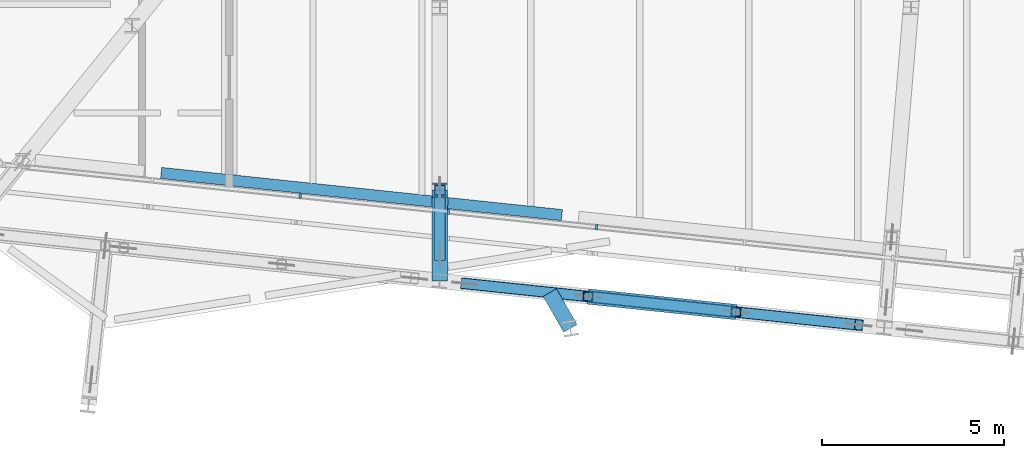
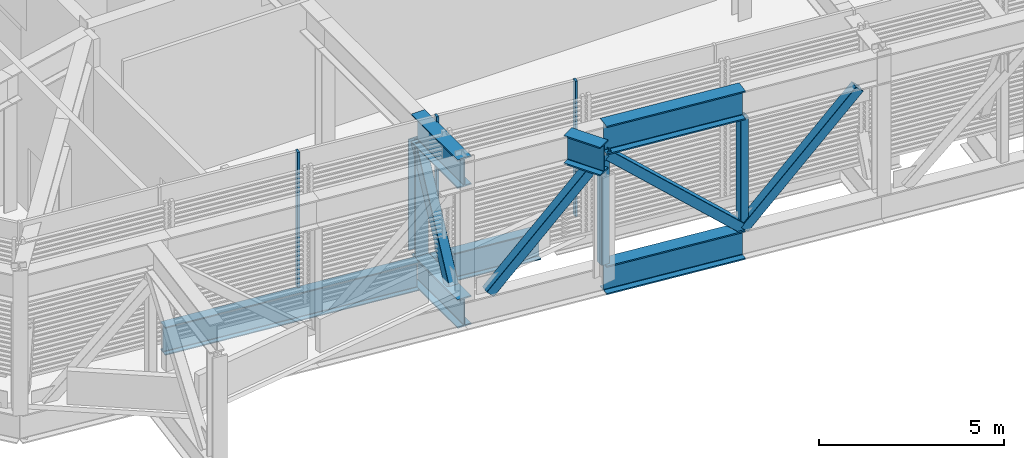
# One storey, part 4 of 36: 10 members, 7 beams, 1 element without a shape of its own.
"""IFC4 building model written with IfcOpenShell, lengths in metres."""

from ifc_helpers import new_model, si_unit, direction, frame, origin, origin_2d, place, context, subcontext, project, spatial, rectangle, hollow_rectangle, i_section, extrude, material, layer, layer_set, material_profile, profile_set, type_object, element, aggregate, save


model = new_model("IFC4")

# Units and contexts
model_context = context("Model", 3, precision=1e-05, world=origin(), true_north=direction((0.0, 1.0)))
body_context = subcontext(model_context, "Body", "Model", "MODEL_VIEW")
ifc_project = project(units=[si_unit("LENGTHUNIT", "METRE"), si_unit("AREAUNIT", "SQUARE_METRE"), si_unit("VOLUMEUNIT", "CUBIC_METRE"), si_unit("PLANEANGLEUNIT", "RADIAN"), si_unit("MASSUNIT", "GRAM", prefix="KILO")], contexts=[model_context])

# Site, building, storey
site_placement = place(None, origin())
site = spatial("IfcSite", under=ifc_project, at=site_placement, CompositionType="ELEMENT")
building_placement = place(site_placement, origin())
building = spatial("IfcBuilding", under=site, at=building_placement, Name="Millrace Tower", CompositionType="ELEMENT")
storey_placement = place(building_placement, frame((0.0, 0.0, 271.39990234375)))
storey = spatial("IfcBuildingStorey", under=building, at=storey_placement, Name="L62", CompositionType="ELEMENT", Elevation=271.39990234375)

# Curtain wall, members
ifc_material_1 = material(Name="Aluminium and glass", Category="aluminium")
ifc_layer = layer(ifc_material_1, 0.14990234375)
ifc_layer_set = layer_set([ifc_layer], Name="Aluminium and glass")
curtain_wall_type = type_object("IfcCurtainWallType", Name="CW-5 truss and plant storey louvred infill", PredefinedType="NOTDEFINED", material=ifc_layer_set)
curtain_wall_placement = place(storey_placement, origin())
curtain_wall = element("IfcCurtainWall", 1, at=curtain_wall_placement, inside=storey, type_object=curtain_wall_type, Name="Curtain wall E-F02 L62", PredefinedType="NOTDEFINED")
ifc_material_2 = material(Name="Aluminium", Category="aluminium")
ifc_material_profile_1 = material_profile(ifc_material_2, rectangle(XDim=0.06494140625, YDim=0.14990234375, at=origin_2d()))
ifc_profile_set_1 = profile_set([ifc_material_profile_1], Name="Aluminium")
member_type_1 = type_object("IfcMemberType", Name="CW-5 truss and plant storey louvred infill mullion", PredefinedType="MULLION", material=ifc_profile_set_1)
member_1_placement = place(storey_placement, frame((-12.347412109375, -17.281982421875, 0.14013671875), z_axis=(0.0, 0.0, 1.0), x_axis=(0.994521896217, -0.104528455196, 0.0)))
member_1 = element("IfcMember", 2, at=member_1_placement, type_object=member_type_1, Name="CW5 mullion E-F02.3", PredefinedType="MULLION", context=body_context, shape_type="SweptSolid", body=[
    extrude(rectangle(XDim=0.06494140625, YDim=0.14990234375, at=origin_2d()), origin(), (0.0, 0.0, 1.0), 4.4599609375),
])
member_2_placement = place(storey_placement, frame((-8.269775390625, -17.71044921875, 0.14013671875), z_axis=(0.0, 0.0, 1.0), x_axis=(0.994521896217, -0.104528455196, 0.0)))
member_2 = element("IfcMember", 3, at=member_2_placement, type_object=member_type_1, Name="CW5 mullion E-F02.4", PredefinedType="MULLION", context=body_context, shape_type="SweptSolid", body=[
    extrude(rectangle(XDim=0.06494140625, YDim=0.14990234375, at=origin_2d()), origin(), (0.0, 0.0, 1.0), 4.4599609375),
])
member_3_placement = place(storey_placement, frame((-4.1923828125, -18.13916015625, 0.14013671875), z_axis=(0.0, 0.0, 1.0), x_axis=(0.994521896217, -0.104528455196, 0.0)))
member_3 = element("IfcMember", 4, at=member_3_placement, type_object=member_type_1, Name="CW5 mullion E-F02.5", PredefinedType="MULLION", context=body_context, shape_type="SweptSolid", body=[
    extrude(rectangle(XDim=0.06494140625, YDim=0.14990234375, at=origin_2d()), origin(), (0.0, 0.0, 1.0), 4.4599609375),
])
aggregate(curtain_wall, [member_1, member_2, member_3])

# Beams
ifc_material_3 = material(Name="Steel ASTM A992 Grade 50", Category="steel")
ifc_material_profile_2 = material_profile(ifc_material_3, i_section(OverallWidth=0.307373046875, OverallDepth=0.927001953125, WebThickness=0.01953125, FlangeThickness=0.031982421875, FilletRadius=0.01904296875, at=origin_2d()))
ifc_profile_set_2 = profile_set([ifc_material_profile_2], Name="Steel ASTM A992 Grade 50")
beam_type_1 = type_object("IfcBeamType", Name="Ring beam short span W36x194", PredefinedType="SPANDREL", material=ifc_profile_set_2)
beam_1_placement = place(storey_placement, frame((-5.14208984375, -17.809326171875, -0.62353515625), z_axis=(-0.994523255471, 0.104515521943, 0.0), x_axis=(-0.104515521943, -0.994523255471, 0.0)))
element("IfcBeam", 5, at=beam_1_placement, inside=storey, type_object=beam_type_1, Name="RNG-E-L62-S1-14-b", PredefinedType="SPANDREL", context=body_context, shape_type="SweptSolid", body=[
    extrude(i_section(OverallWidth=0.307373046875, OverallDepth=0.927001953125, WebThickness=0.01953125, FlangeThickness=0.031982421875, FilletRadius=0.01904296875, at=origin_2d()), origin(), (0.0, 0.0, 1.0), 3.153564453125),
])
beam_2_placement = place(storey_placement, frame((-8.715576171875, -17.433837890625, -0.62353515625), z_axis=(-0.994520779189, 0.104539082461, 0.0), x_axis=(-0.104539082461, -0.994520779189, 0.0)))
element("IfcBeam", 6, at=beam_2_placement, inside=storey, type_object=beam_type_1, Name="RNG-E-L62-S1-15-a", PredefinedType="SPANDREL", context=body_context, shape_type="SweptSolid", body=[
    extrude(i_section(OverallWidth=0.307373046875, OverallDepth=0.927001953125, WebThickness=0.01953125, FlangeThickness=0.031982421875, FilletRadius=0.01904296875, at=origin_2d()), origin(), (0.0, 0.0, 1.0), 7.501220703125),
])

# Member
ifc_material_4 = material(Name="Steel ASTM A992 Grade 50", Category="steel")
ifc_material_profile_3 = material_profile(ifc_material_4, i_section(OverallWidth=0.4013671875, OverallDepth=0.398681640625, WebThickness=0.02490234375, FlangeThickness=0.03955078125, FilletRadius=0.01513671875, at=origin_2d()))
ifc_profile_set_3 = profile_set([ifc_material_profile_3], Name="Steel ASTM A992 Grade 50")
member_type_2 = type_object("IfcMemberType", Name="Transfer truss Vierendeel moment post W14x211", PredefinedType="POST", material=ifc_profile_set_3)
member_4_placement = place(storey_placement, frame((-8.50341796875, -17.12158203125, -0.159912109375), z_axis=(0.0, 0.0, 1.0), x_axis=(1.0, 0.0, 0.0)))
element("IfcMember", 7, at=member_4_placement, inside=storey, type_object=member_type_2, Name="TRS-L62-C03-V01", PredefinedType="POST", context=body_context, shape_type="SweptSolid", body=[
    extrude(i_section(OverallWidth=0.4013671875, OverallDepth=0.398681640625, WebThickness=0.02490234375, FlangeThickness=0.03955078125, FilletRadius=0.01513671875, at=origin_2d()), origin(), (0.0, 0.0, 1.0), 3.652587890625),
])

# Beams
ifc_material_5 = material(Name="Steel ASTM A992 Grade 50", Category="steel")
ifc_material_profile_4 = material_profile(ifc_material_5, i_section(OverallWidth=0.424072265625, OverallDepth=0.947509765625, WebThickness=0.02392578125, FlangeThickness=0.042724609375, FilletRadius=0.024169921875, at=origin_2d()))
ifc_profile_set_4 = profile_set([ifc_material_profile_4], Name="Steel ASTM A992 Grade 50")
beam_type_2 = type_object("IfcBeamType", Name="Transfer truss chord W36x302", PredefinedType="BEAM", material=ifc_profile_set_4)
for number, where, z_axis, x_axis, name in (
    (8, (-4.42578125, -20.050048828125, -0.633544921875), (0.994517845065, -0.104566992152, 0.0), (0.104566992152, 0.994517845065, 0.0), "TRS-L62-R03-B02"),
    (9, (-4.42578125, -20.050048828125, 3.96630859375), (0.994517845065, -0.104566992152, 0.0), (0.104566992152, 0.994517845065, 0.0), "TRS-L62-R03-T02"),
):
    element("IfcBeam", number, at=place(storey_placement, frame(where, z_axis=z_axis, x_axis=x_axis)), inside=storey, type_object=beam_type_2, Name=name, PredefinedType="BEAM", context=body_context, shape_type="SweptSolid", body=[
        extrude(i_section(OverallWidth=0.424072265625, OverallDepth=0.947509765625, WebThickness=0.02392578125, FlangeThickness=0.042724609375, FilletRadius=0.024169921875, at=origin_2d()), origin(), (0.0, 0.0, 1.0), 4.099853515625),
    ])
for number, where, z_axis, x_axis, name in (
    (10, (-8.50341796875, -19.62158203125, -0.633544921875), (0.0, 1.0, 0.0), (-1.0, 0.0, 0.0), "TRS-L62-C03-B01"),
    (11, (-8.50341796875, -19.62158203125, 3.96630859375), (0.0, 1.0, 0.0), (-1.0, 0.0, 0.0), "TRS-L62-C03-T01"),
):
    element("IfcBeam", number, at=place(storey_placement, frame(where, z_axis=z_axis, x_axis=x_axis)), inside=storey, type_object=beam_type_2, Name=name, PredefinedType="BEAM", context=body_context, shape_type="SweptSolid", body=[
        extrude(i_section(OverallWidth=0.424072265625, OverallDepth=0.947509765625, WebThickness=0.02392578125, FlangeThickness=0.042724609375, FilletRadius=0.024169921875, at=origin_2d()), origin(), (0.0, 0.0, 1.0), 2.5),
    ])
beam_3_placement = place(storey_placement, frame((-4.91162109375, -20.927734375, 3.96630859375), z_axis=(-0.495005281572, 0.868889964964, 0.0), x_axis=(-0.868889964964, -0.495005281572, 0.0)))
element("IfcBeam", 12, at=beam_3_placement, inside=storey, type_object=beam_type_2, Name="TRS-L62-D-X03-TIE", PredefinedType="BEAM", context=body_context, shape_type="SweptSolid", body=[
    extrude(i_section(OverallWidth=0.424072265625, OverallDepth=0.947509765625, WebThickness=0.02392578125, FlangeThickness=0.042724609375, FilletRadius=0.024169921875, at=origin_2d()), origin(), (0.0, 0.0, 1.0), 1.136962890625),
])

# Members
ifc_material_6 = material(Name="Steel ASTM A500 Grade C", Category="steel")
ifc_material_profile_5 = material_profile(ifc_material_6, hollow_rectangle(XDim=0.3046875, YDim=0.3046875, WallThickness=0.0126953125, InnerFilletRadius=0.00634765625, OuterFilletRadius=0.01904296875, at=origin_2d()))
ifc_profile_set_5 = profile_set([ifc_material_profile_5], Name="Steel ASTM A500 Grade C")
member_type_3 = type_object("IfcMemberType", Name="Transfer truss diagonal HSS12x12x1/2", PredefinedType="BRACE", material=ifc_profile_set_5)
member_5_placement = place(storey_placement, frame((-7.80712890625, -19.69482421875, -0.159912109375), z_axis=(0.677611245182, -0.071185874494, 0.731966919796), x_axis=(0.104479197831, 0.994527072141, 0.0)))
element("IfcMember", 13, at=member_5_placement, inside=storey, type_object=member_type_3, Name="TRS-L62-R03-D01", PredefinedType="BRACE", context=body_context, shape_type="SweptSolid", body=[
    extrude(hollow_rectangle(XDim=0.3046875, YDim=0.3046875, WallThickness=0.0126953125, InnerFilletRadius=0.00634765625, OuterFilletRadius=0.01904296875, at=origin_2d()), origin(), (0.0, 0.0, 1.0), 4.989990234375),
])
member_6_placement = place(storey_placement, frame((-0.348388671875, -20.478759765625, -0.159912109375), z_axis=(-0.742568553363, 0.078076185839, 0.66520376785), x_axis=(-0.104566992152, -0.994517845065, 0.0)))
element("IfcMember", 14, at=member_6_placement, inside=storey, type_object=member_type_3, Name="TRS-L62-R03-D02", PredefinedType="BRACE", context=body_context, shape_type="SweptSolid", body=[
    extrude(hollow_rectangle(XDim=0.3046875, YDim=0.3046875, WallThickness=0.0126953125, InnerFilletRadius=0.00634765625, OuterFilletRadius=0.01904296875, at=origin_2d()), origin(), (0.0, 0.0, 1.0), 5.490966796875),
])
member_7_placement = place(storey_placement, frame((-0.348388671875, -20.478759765625, -0.159912109375), z_axis=(0.677611245182, -0.071185874494, 0.731966919796), x_axis=(0.104479197831, 0.994527072141, 0.0)))
element("IfcMember", 15, at=member_7_placement, inside=storey, type_object=member_type_3, Name="TRS-L62-R03-D03", PredefinedType="BRACE", context=body_context, shape_type="SweptSolid", body=[
    extrude(hollow_rectangle(XDim=0.3046875, YDim=0.3046875, WallThickness=0.0126953125, InnerFilletRadius=0.00634765625, OuterFilletRadius=0.01904296875, at=origin_2d()), origin(), (0.0, 0.0, 1.0), 4.989990234375),
])
member_8_placement = place(storey_placement, frame((-8.50341796875, -18.921630859375, -0.159912109375), z_axis=(0.0, 0.442050013477, 0.896990404399), x_axis=(-1.0, 0.0, 0.0)))
element("IfcMember", 16, at=member_8_placement, inside=storey, type_object=member_type_3, Name="TRS-L62-C03-D01", PredefinedType="BRACE", context=body_context, shape_type="SweptSolid", body=[
    extrude(hollow_rectangle(XDim=0.3046875, YDim=0.3046875, WallThickness=0.0126953125, InnerFilletRadius=0.00634765625, OuterFilletRadius=0.01904296875, at=origin_2d()), origin(), (0.0, 0.0, 1.0), 4.072021484375),
])
ifc_material_7 = material(Name="Steel ASTM A500 Grade C", Category="steel")
ifc_material_profile_6 = material_profile(ifc_material_7, hollow_rectangle(XDim=0.25390625, YDim=0.25390625, WallThickness=0.0126953125, InnerFilletRadius=0.00634765625, OuterFilletRadius=0.01904296875, at=origin_2d()))
ifc_profile_set_6 = profile_set([ifc_material_profile_6], Name="Steel ASTM A500 Grade C")
member_type_4 = type_object("IfcMemberType", Name="Transfer truss post HSS10x10x1/2", PredefinedType="POST", material=ifc_profile_set_6)
for number, where, z_axis, x_axis, name in (
    (17, (-4.42578125, -20.050048828125, -0.159912109375), (0.0, 0.0, 1.0), (1.0, 0.0, 0.0), "TRS-L62-R03-V01"),
    (18, (-0.348388671875, -20.478759765625, -0.159912109375), (0.0, 0.0, 1.0), (1.0, 0.0, 0.0), "TRS-L62-R03-V02"),
):
    element("IfcMember", number, at=place(storey_placement, frame(where, z_axis=z_axis, x_axis=x_axis)), inside=storey, type_object=member_type_4, Name=name, PredefinedType="POST", context=body_context, shape_type="SweptSolid", body=[
        extrude(hollow_rectangle(XDim=0.25390625, YDim=0.25390625, WallThickness=0.0126953125, InnerFilletRadius=0.00634765625, OuterFilletRadius=0.01904296875, at=origin_2d()), origin(), (0.0, 0.0, 1.0), 3.652587890625),
    ])

save(model, "model.ifc")
